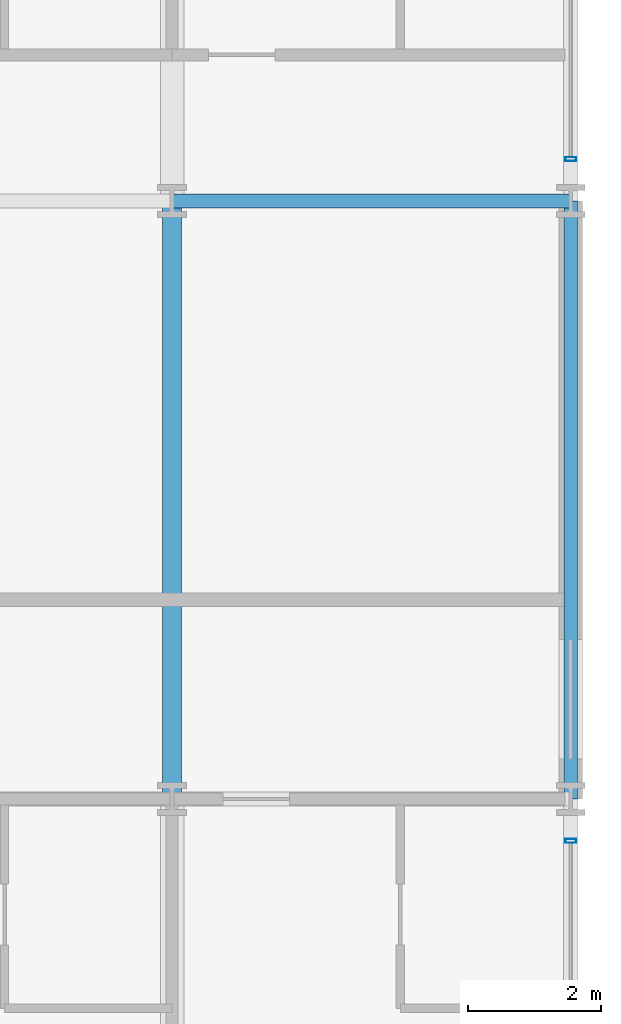
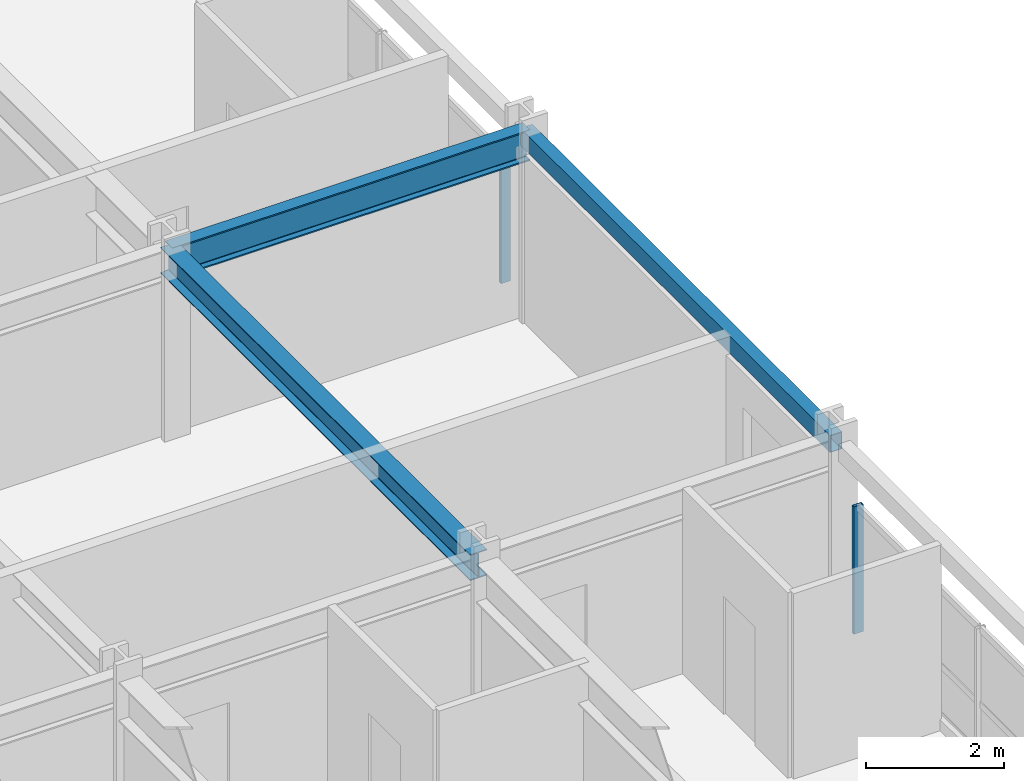
# One storey, part 13 of 24: 3 beams, 2 members, 2 elements without a shape of their own.
"""IFC4 building model written with IfcOpenShell, lengths in metres."""

from ifc_helpers import new_model, si_unit, direction, frame, origin, origin_2d, place, context, subcontext, project, spatial, hollow_rectangle, i_section, extrude, material, material_profile, profile_set, type_object, element, aggregate, save


model = new_model("IFC4")

# Units and contexts
model_context = context("Model", 3, precision=1e-05, world=origin(), true_north=direction((0.0, 1.0)))
body_context = subcontext(model_context, "Body", "Model", "MODEL_VIEW")
ifc_project = project(units=[si_unit("LENGTHUNIT", "METRE"), si_unit("AREAUNIT", "SQUARE_METRE"), si_unit("VOLUMEUNIT", "CUBIC_METRE"), si_unit("PLANEANGLEUNIT", "RADIAN"), si_unit("MASSUNIT", "GRAM", prefix="KILO")], contexts=[model_context])

# Site, building, storey
site_placement = place(None, origin())
site = spatial("IfcSite", under=ifc_project, at=site_placement, CompositionType="ELEMENT")
building_placement = place(site_placement, origin())
building = spatial("IfcBuilding", under=site, at=building_placement, Name="Kaldorvane Square Convention Centre", CompositionType="ELEMENT")
storey_placement = place(building_placement, frame((0.0, 0.0, 27.600006103515625)))
storey = spatial("IfcBuildingStorey", under=building, at=storey_placement, Name="L05", CompositionType="ELEMENT", Elevation=27.600006103515625)

# Beams
ifc_material_1 = material(Name="Steel ASTM A992 Gr. 50", Category="steel")
ifc_material_profile_1 = material_profile(ifc_material_1, i_section(OverallWidth=0.213897705078125, OverallDepth=0.549102783203125, WebThickness=0.0146942138671875, FlangeThickness=0.0236053466796875, FilletRadius=0.0126953125, at=origin_2d()), Name="W21X93")
ifc_profile_set_1 = profile_set([ifc_material_profile_1], Name="Steel ASTM A992 Gr. 50")
beam_type_1 = type_object("IfcBeamType", Name="BM-GR-W21X93", PredefinedType="BEAM", material=ifc_profile_set_1)
beam_1_placement = place(storey_placement, frame((90.0, 105.0, 3.0114898681640625), z_axis=(1.0, 0.0, 0.0), x_axis=(0.0, 1.0, 0.0)))
element("IfcBeam", 1, at=beam_1_placement, inside=storey, type_object=beam_type_1, Name="Primary Girder (L05)", PredefinedType="BEAM", context=body_context, shape_type="SweptSolid", body=[
    extrude(i_section(OverallWidth=0.213897705078125, OverallDepth=0.549102783203125, WebThickness=0.0146942138671875, FlangeThickness=0.0236053466796875, FilletRadius=0.0126953125, at=origin_2d()), origin(), (0.0, 0.0, 1.0), 6.0),
])
ifc_material_profile_2 = material_profile(ifc_material_1, i_section(OverallWidth=0.2799072265625, OverallDepth=0.462799072265625, WebThickness=0.01080322265625, FlangeThickness=0.017303466796875, FilletRadius=0.01019287109375, at=origin_2d()), Name="W18X76")
ifc_profile_set_2 = profile_set([ifc_material_profile_2], Name="Steel ASTM A992 Gr. 50")
beam_type_2 = type_object("IfcBeamType", Name="BM-JS-W18X76", PredefinedType="JOIST", material=ifc_profile_set_2)
beam_2_placement = place(storey_placement, frame((90.0, 96.0, 3.054595947265625), z_axis=(0.0, 1.0, 0.0), x_axis=(-1.0, 0.0, 0.0)))
element("IfcBeam", 2, at=beam_2_placement, inside=storey, type_object=beam_type_2, Name="Transverse Girder (L05)", PredefinedType="JOIST", context=body_context, shape_type="SweptSolid", body=[
    extrude(i_section(OverallWidth=0.2799072265625, OverallDepth=0.462799072265625, WebThickness=0.01080322265625, FlangeThickness=0.017303466796875, FilletRadius=0.01019287109375, at=origin_2d()), origin(), (0.0, 0.0, 1.0), 9.0),
])
ifc_material_2 = material(Name="Steel ASTM A500 Gr. C", Category="steel")
ifc_material_profile_3 = material_profile(ifc_material_2, hollow_rectangle(XDim=0.2032012939453125, YDim=0.3047943115234375, WallThickness=0.0088958740234375, at=origin_2d()), Name="HSS12X8X3/8")
ifc_profile_set_3 = profile_set([ifc_material_profile_3], Name="Steel ASTM A500 Gr. C")
beam_type_3 = type_object("IfcBeamType", Name="BM-SP-HSS12", PredefinedType="SPANDREL", material=ifc_profile_set_3)
beam_3_placement = place(storey_placement, frame((96.0, 96.0, 3.1335906982421875), z_axis=(0.0, 1.0, 0.0), x_axis=(-1.0, 0.0, 0.0)))
element("IfcBeam", 3, at=beam_3_placement, inside=storey, type_object=beam_type_3, Name="End Spandrel (L05)", PredefinedType="SPANDREL", context=body_context, shape_type="SweptSolid", body=[
    extrude(hollow_rectangle(XDim=0.2032012939453125, YDim=0.3047943115234375, WallThickness=0.0088958740234375, at=origin_2d()), origin(), (0.0, 0.0, 1.0), 9.0),
])

# Curtain wall, member
ifc_material_3 = material(Name="Anodized Aluminum and Low-E Insulated Glazing", Category="aluminium")
curtain_wall_type = type_object("IfcCurtainWallType", Name="CW-UNI-HTL-A", PredefinedType="USERDEFINED", material=ifc_material_3)
curtain_wall_1_placement = place(storey_placement, origin())
curtain_wall_1 = element("IfcCurtainWall", 4, at=curtain_wall_1_placement, inside=storey, type_object=curtain_wall_type, Name="Curtain Wall CW-10 (L05)", ObjectType="UNITISED GLAZING", PredefinedType="USERDEFINED")
ifc_material_profile_4 = material_profile(ifc_material_3, hollow_rectangle(XDim=0.05999755859375, YDim=0.160003662109375, WallThickness=0.003204345703125, at=origin_2d()), Name="CWM-160X60")
ifc_profile_set_4 = profile_set([ifc_material_profile_4], Name="Anodized Aluminum and Low-E Insulated Glazing")
member_type = type_object("IfcMemberType", Name="CW-MUL-160", PredefinedType="MULLION", material=ifc_profile_set_4)
member_1_placement = place(storey_placement, frame((96.0, 95.3699951171875, 0.149993896484375), z_axis=(0.0, 0.0, 1.0), x_axis=(0.0, 1.0, 0.0)))
member_1 = element("IfcMember", 5, at=member_1_placement, type_object=member_type, Name="CW-10 mullion 4", PredefinedType="MULLION", context=body_context, shape_type="SweptSolid", body=[
    extrude(hollow_rectangle(XDim=0.05999755859375, YDim=0.160003662109375, WallThickness=0.003204345703125, at=origin_2d()), origin(), (0.0, 0.0, 1.0), 2.2599945068359375),
])
aggregate(curtain_wall_1, [member_1])

curtain_wall_2_placement = place(storey_placement, origin())
curtain_wall_2 = element("IfcCurtainWall", 6, at=curtain_wall_2_placement, inside=storey, type_object=curtain_wall_type, Name="Curtain Wall CW-10 (L05)", ObjectType="UNITISED GLAZING", PredefinedType="USERDEFINED")
member_2_placement = place(storey_placement, frame((96.0, 105.6300048828125, 0.149993896484375), z_axis=(0.0, 0.0, 1.0), x_axis=(0.0, 1.0, 0.0)))
member_2 = element("IfcMember", 7, at=member_2_placement, type_object=member_type, Name="CW-10 mullion 1", PredefinedType="MULLION", context=body_context, shape_type="SweptSolid", body=[
    extrude(hollow_rectangle(XDim=0.05999755859375, YDim=0.160003662109375, WallThickness=0.003204345703125, at=origin_2d()), origin(), (0.0, 0.0, 1.0), 2.2599945068359375),
])
aggregate(curtain_wall_2, [member_2])

save(model, "model.ifc")
